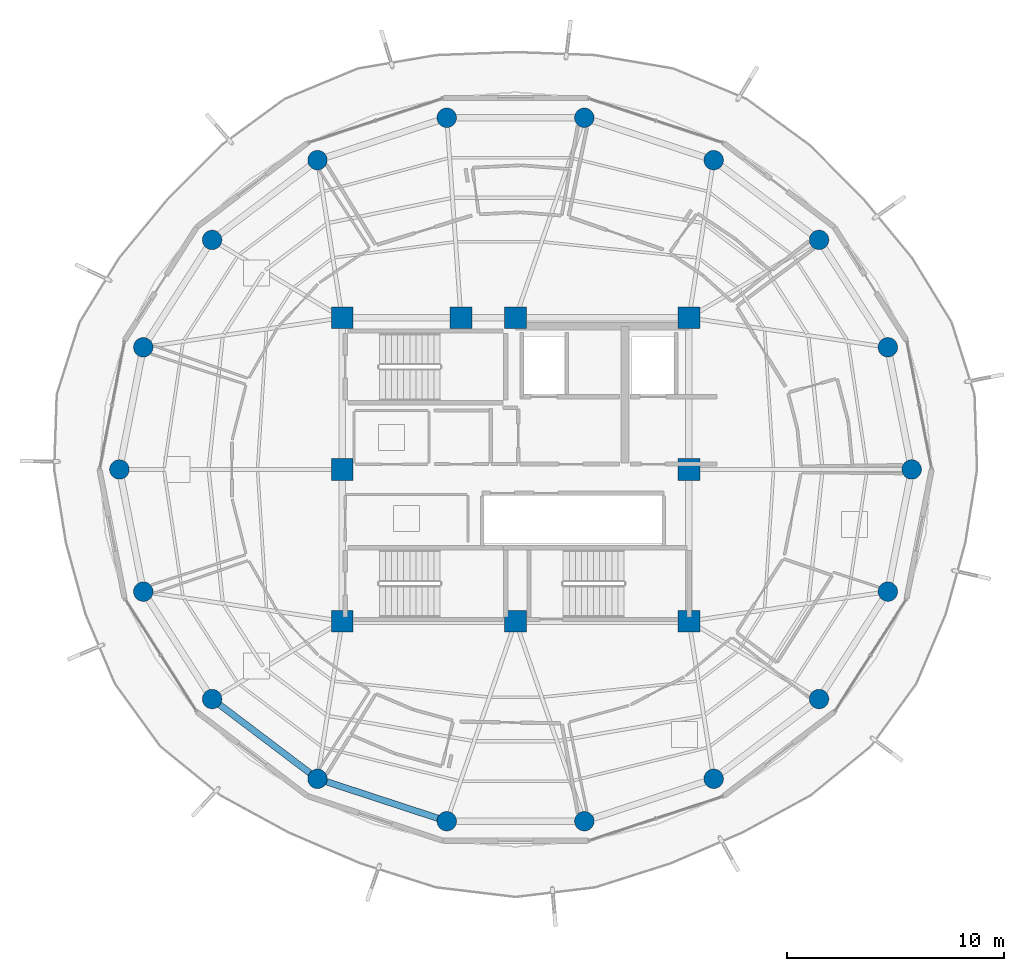
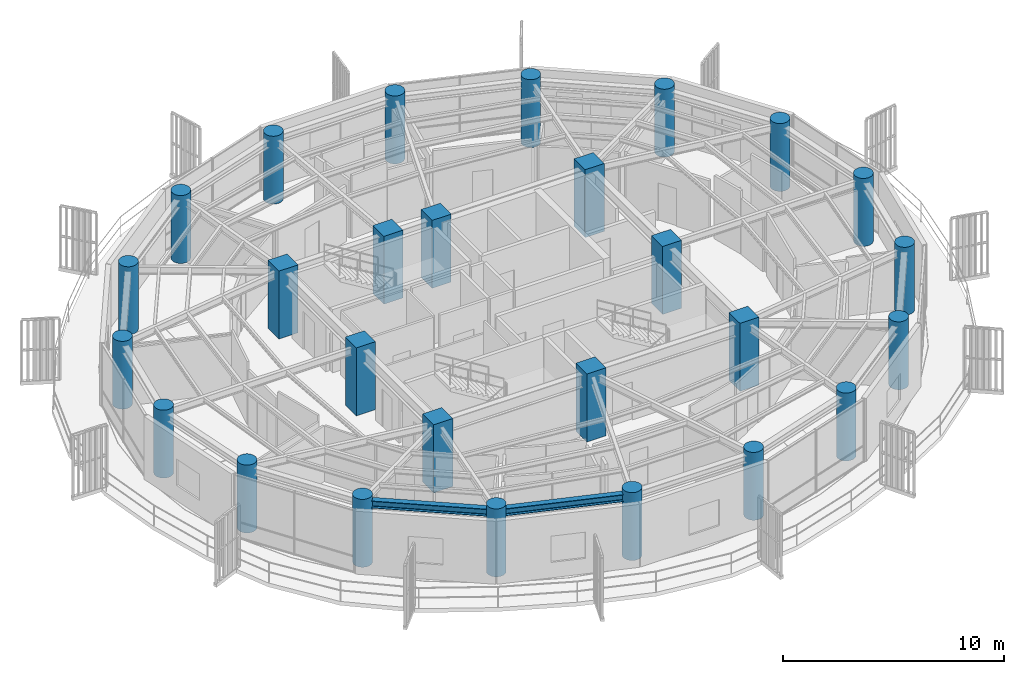
# One storey, part 1 of 24: 27 columns, 2 beams.
"""IFC4 building model written with IfcOpenShell, lengths in metres."""

from ifc_helpers import new_model, si_unit, direction, frame, origin, origin_2d, place, context, subcontext, project, spatial, rectangle, circle, i_section, extrude, material, material_profile, profile_set, type_object, element, save


model = new_model("IFC4")

# Units and contexts
model_context = context("Model", 3, precision=1e-05, world=origin(), true_north=direction((0.0, 1.0)))
body_context = subcontext(model_context, "Body", "Model", "MODEL_VIEW")
ifc_project = project(units=[si_unit("LENGTHUNIT", "METRE"), si_unit("AREAUNIT", "SQUARE_METRE"), si_unit("VOLUMEUNIT", "CUBIC_METRE"), si_unit("PLANEANGLEUNIT", "RADIAN"), si_unit("MASSUNIT", "GRAM", prefix="KILO")], contexts=[model_context])

# Site, building, storey
site_placement = place(None, origin())
site = spatial("IfcSite", under=ifc_project, at=site_placement, CompositionType="ELEMENT")
building_placement = place(site_placement, origin())
building = spatial("IfcBuilding", under=site, at=building_placement, Name="Kelanora Arch Commons", CompositionType="ELEMENT")
storey_placement = place(building_placement, frame((0.0, 0.0, 248.699951171875)))
storey = spatial("IfcBuildingStorey", under=building, at=storey_placement, Name="L63", CompositionType="ELEMENT", Elevation=248.699951171875)

# Columns
ifc_material_1 = material(Name="Concrete C50/60", Category="concrete")
ifc_material_profile_1 = material_profile(ifc_material_1, circle(Radius=0.449951171875, at=origin_2d()), Name="RCC900")
ifc_profile_set_1 = profile_set([ifc_material_profile_1], Name="Concrete C50/60")
column_type_1 = type_object("IfcColumnType", Name="COL-PERIM-Z5", PredefinedType="COLUMN", material=ifc_profile_set_1)
for number, where, z_axis, x_axis, name in (
    (1, (92.280029296875, 58.0, 0.0), (0.0, 0.0, 1.0), (1.0, 0.0, 0.0), "Perimeter Ring Column CP-00 L63"),
    (2, (91.177490234375, 63.636474609375, 0.0), (0.0, 0.0, 1.0), (1.0, 0.0, 0.0), "Perimeter Ring Column CP-02 L63"),
    (3, (88.00341796875, 68.593017578125, 0.0), (0.0, 0.0, 1.0), (1.0, 0.0, 0.0), "Perimeter Ring Column CP-04 L63"),
    (4, (83.139892578125, 72.272216796875, 0.0), (0.0, 0.0, 1.0), (1.0, 0.0, 0.0), "Perimeter Ring Column CP-06 L63"),
    (5, (77.17431640625, 74.2294921875, 0.0), (0.0, 0.0, 1.0), (1.0, 0.0, 0.0), "Perimeter Ring Column CP-08 L63"),
    (6, (70.82568359375, 74.2294921875, 0.0), (0.0, 0.0, 1.0), (1.0, 0.0, 0.0), "Perimeter Ring Column CP-10 L63"),
    (7, (64.860107421875, 72.272216796875, 0.0), (0.0, 0.0, 1.0), (1.0, 0.0, 0.0), "Perimeter Ring Column CP-12 L63"),
    (8, (59.99658203125, 68.593017578125, 0.0), (0.0, 0.0, 1.0), (1.0, 0.0, 0.0), "Perimeter Ring Column CP-14 L63"),
    (9, (56.822509765625, 63.636474609375, 0.0), (0.0, 0.0, 1.0), (1.0, 0.0, 0.0), "Perimeter Ring Column CP-16 L63"),
    (10, (55.719970703125, 58.0, 0.0), (0.0, 0.0, 1.0), (1.0, 0.0, 0.0), "Perimeter Ring Column CP-18 L63"),
    (11, (56.822509765625, 52.363525390625, 0.0), (0.0, 0.0, 1.0), (1.0, 0.0, 0.0), "Perimeter Ring Column CP-20 L63"),
    (12, (59.99658203125, 47.406982421875, 0.0), (0.0, 0.0, 1.0), (1.0, 0.0, 0.0), "Perimeter Ring Column CP-22 L63"),
    (13, (64.860107421875, 43.727783203125, 0.0), (0.0, 0.0, 1.0), (1.0, 0.0, 0.0), "Perimeter Ring Column CP-24 L63"),
    (14, (70.82568359375, 41.7705078125, 0.0), (0.0, 0.0, 1.0), (1.0, 0.0, 0.0), "Perimeter Ring Column CP-26 L63"),
    (15, (77.17431640625, 41.7705078125, 0.0), (0.0, 0.0, 1.0), (1.0, 0.0, 0.0), "Perimeter Ring Column CP-28 L63"),
    (16, (83.139892578125, 43.727783203125, 0.0), (0.0, 0.0, 1.0), (1.0, 0.0, 0.0), "Perimeter Ring Column CP-30 L63"),
    (17, (88.00341796875, 47.406982421875, 0.0), (0.0, 0.0, 1.0), (1.0, 0.0, 0.0), "Perimeter Ring Column CP-32 L63"),
    (18, (91.177490234375, 52.363525390625, 0.0), (0.0, 0.0, 1.0), (1.0, 0.0, 0.0), "Perimeter Ring Column CP-34 L63"),
):
    element("IfcColumn", number, at=place(storey_placement, frame(where, z_axis=z_axis, x_axis=x_axis)), inside=storey, type_object=column_type_1, Name=name, PredefinedType="COLUMN", context=body_context, shape_type="SweptSolid", body=[
        extrude(circle(Radius=0.449951171875, at=origin_2d()), origin(), (0.0, 0.0, 1.0), 3.75),
    ])
ifc_material_profile_2 = material_profile(ifc_material_1, rectangle(XDim=1.0, YDim=1.0, at=origin_2d()), Name="RC1000x1000")
ifc_profile_set_2 = profile_set([ifc_material_profile_2], Name="Concrete C50/60")
column_type_2 = type_object("IfcColumnType", Name="COL-PIL-HIGH", PredefinedType="PILASTER", material=ifc_profile_set_2)
for number, where, z_axis, x_axis, name in (
    (19, (66.0, 51.0, 0.0), (0.0, 0.0, 1.0), (1.0, 0.0, 0.0), "Core Pilaster Column CP1 L63"),
    (20, (74.0, 51.0, 0.0), (0.0, 0.0, 1.0), (1.0, 0.0, 0.0), "Core Pilaster Column CP2 L63"),
    (21, (82.0, 51.0, 0.0), (0.0, 0.0, 1.0), (1.0, 0.0, 0.0), "Core Pilaster Column CP3 L63"),
    (22, (82.0, 58.0, 0.0), (0.0, 0.0, 1.0), (1.0, 0.0, 0.0), "Core Pilaster Column CP4 L63"),
    (23, (82.0, 65.0, 0.0), (0.0, 0.0, 1.0), (1.0, 0.0, 0.0), "Core Pilaster Column CP5 L63"),
    (24, (74.0, 65.0, 0.0), (0.0, 0.0, 1.0), (1.0, 0.0, 0.0), "Core Pilaster Column CP6 L63"),
    (25, (71.47998046875, 65.0, 0.0), (0.0, 0.0, 1.0), (1.0, 0.0, 0.0), "Core Pilaster Column CP9 L63"),
    (26, (66.0, 65.0, 0.0), (0.0, 0.0, 1.0), (1.0, 0.0, 0.0), "Core Pilaster Column CP7 L63"),
    (27, (66.0, 58.0, 0.0), (0.0, 0.0, 1.0), (1.0, 0.0, 0.0), "Core Pilaster Column CP8 L63"),
):
    element("IfcColumn", number, at=place(storey_placement, frame(where, z_axis=z_axis, x_axis=x_axis)), inside=storey, type_object=column_type_2, Name=name, PredefinedType="PILASTER", context=body_context, shape_type="SweptSolid", body=[
        extrude(rectangle(XDim=1.0, YDim=1.0, at=origin_2d()), origin(), (0.0, 0.0, 1.0), 3.75),
    ])

# Beams
ifc_material_2 = material(Name="Steel S355", Category="steel")
ifc_material_profile_3 = material_profile(ifc_material_2, i_section(OverallWidth=0.300048828125, OverallDepth=0.39990234375, WebThickness=0.013427734375, FlangeThickness=0.02392578125, FilletRadius=0.027099609375, at=origin_2d()), Name="HEB400")
ifc_profile_set_3 = profile_set([ifc_material_profile_3], Name="Steel S355")
beam_type = type_object("IfcBeamType", Name="BM-SPN-Z4", PredefinedType="SPANDREL", material=ifc_profile_set_3)
beam_1_placement = place(storey_placement, frame((59.99658203125, 47.406982421875, 3.2900390625), z_axis=(0.797509460967, -0.603306439273, 0.0), x_axis=(0.603306439273, 0.797509460967, 0.0)))
element("IfcBeam", 28, at=beam_1_placement, inside=storey, type_object=beam_type, Name="Perimeter Spandrel Beam BS-22 L63", PredefinedType="SPANDREL", context=body_context, shape_type="SweptSolid", body=[
    extrude(i_section(OverallWidth=0.300048828125, OverallDepth=0.39990234375, WebThickness=0.013427734375, FlangeThickness=0.02392578125, FilletRadius=0.027099609375, at=origin_2d()), origin(), (0.0, 0.0, 1.0), 6.098388671875),
])
beam_2_placement = place(storey_placement, frame((64.860107421875, 43.727783203125, 3.2900390625), z_axis=(0.950165923039, -0.311744636996, 0.0), x_axis=(0.311744636996, 0.950165923039, 0.0)))
element("IfcBeam", 29, at=beam_2_placement, inside=storey, type_object=beam_type, Name="Perimeter Spandrel Beam BS-24 L63", PredefinedType="SPANDREL", context=body_context, shape_type="SweptSolid", body=[
    extrude(i_section(OverallWidth=0.300048828125, OverallDepth=0.39990234375, WebThickness=0.013427734375, FlangeThickness=0.02392578125, FilletRadius=0.027099609375, at=origin_2d()), origin(), (0.0, 0.0, 1.0), 6.278564453125),
])

save(model, "model.ifc")
